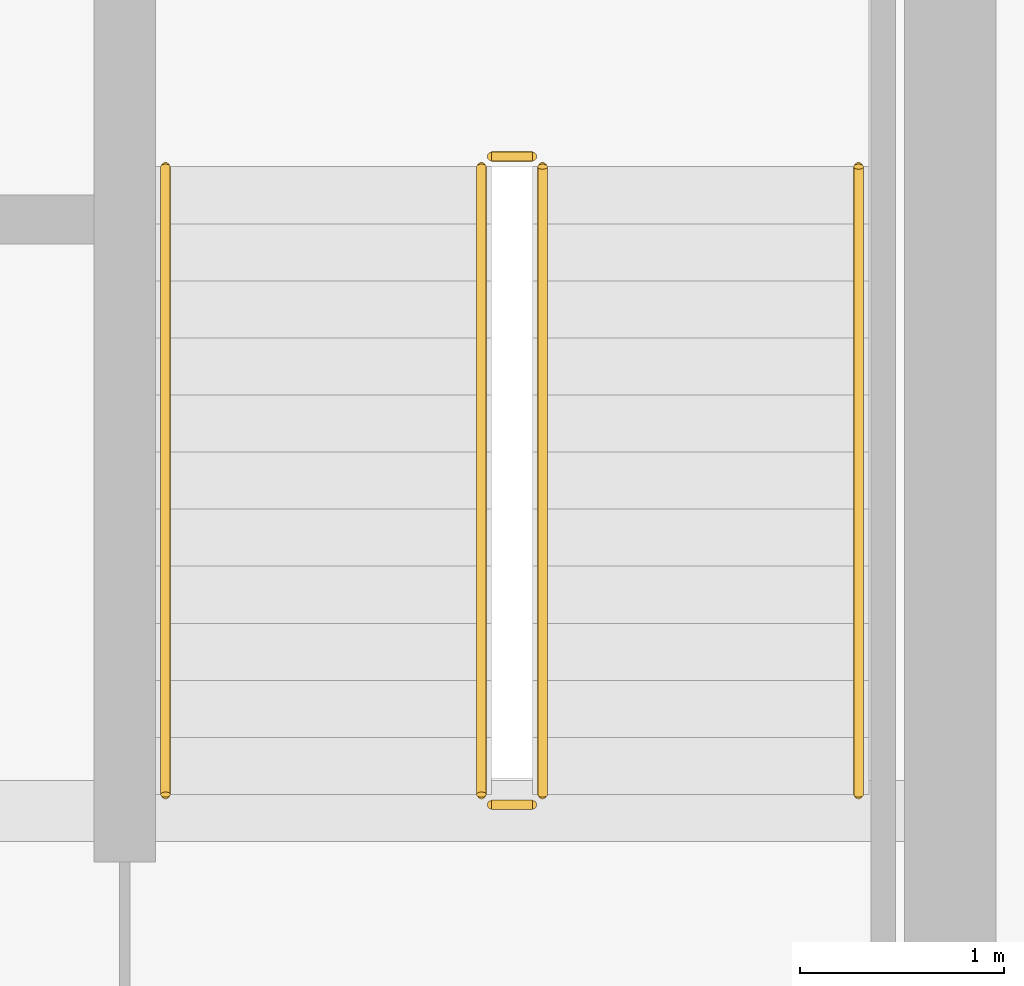
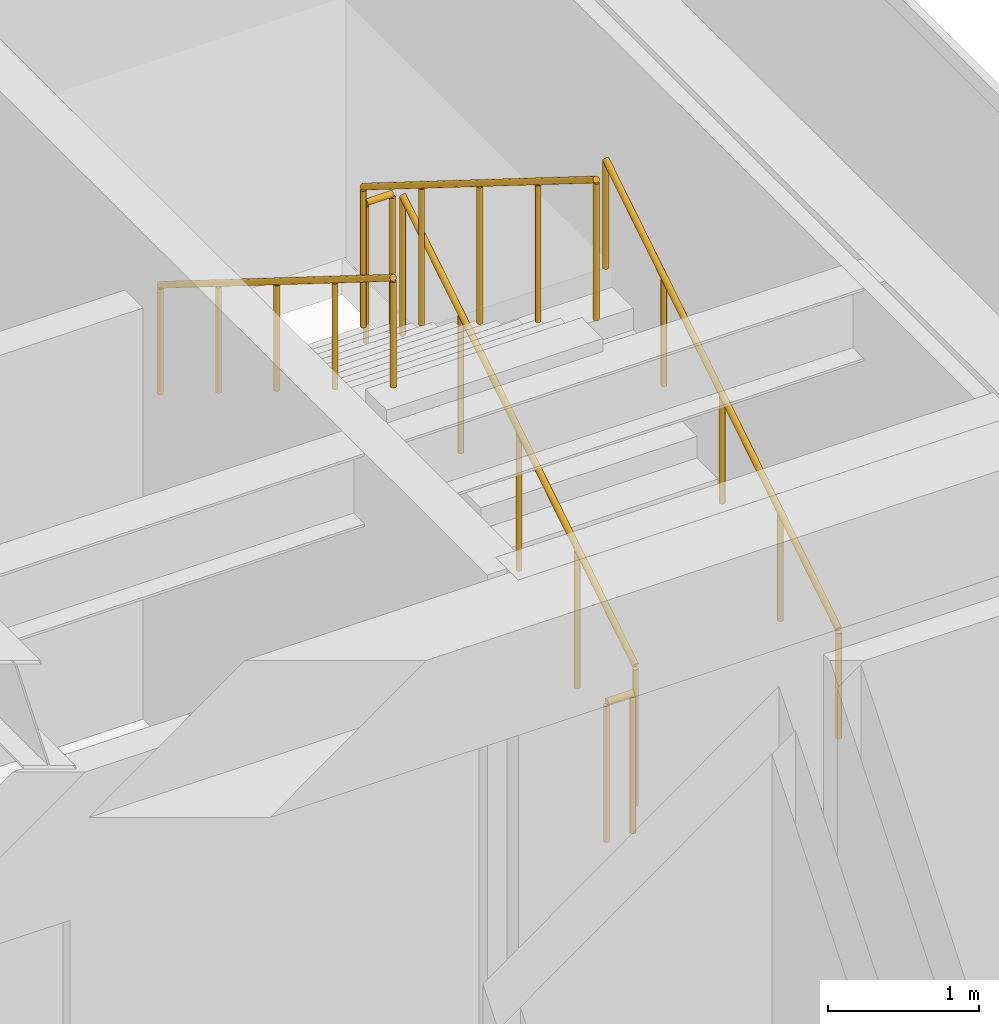
# One storey, part 33 of 34: 6 railings.
"""IFC4 building model written with IfcOpenShell, lengths in metres."""

from ifc_helpers import new_model, si_unit, direction, frame, origin, origin_2d, place, context, subcontext, project, spatial, circle, extrude, source, transform, mapped, material, type_object, type_shapes, element, save


model = new_model("IFC4")

# Units and contexts
model_context = context("Model", 3, precision=1e-05, world=origin(), true_north=direction((0.0, 1.0)))
body_context = subcontext(model_context, "Body", "Model", "MODEL_VIEW")
ifc_project = project(units=[si_unit("LENGTHUNIT", "METRE"), si_unit("AREAUNIT", "SQUARE_METRE"), si_unit("VOLUMEUNIT", "CUBIC_METRE"), si_unit("PLANEANGLEUNIT", "RADIAN"), si_unit("MASSUNIT", "GRAM", prefix="KILO")], contexts=[model_context])

# Site, building, storey
site_placement = place(None, origin())
site = spatial("IfcSite", under=ifc_project, at=site_placement, CompositionType="ELEMENT")
building_placement = place(site_placement, origin())
building = spatial("IfcBuilding", under=site, at=building_placement, Name="Haelvirn Gate Laboratories", CompositionType="ELEMENT")
storey_placement = place(building_placement, frame((0.0, 0.0, 322.800048828125)))
storey = spatial("IfcBuildingStorey", under=building, at=storey_placement, Name="L77", CompositionType="ELEMENT", Elevation=322.800048828125)

# Railings
ifc_material_1 = material(Name="Galvanised steel SM355 & stainless top rail", Category="steel")
railing_type_1 = type_object("IfcRailingType", Name="RL-GUARD-1150", PredefinedType="GUARDRAIL", material=ifc_material_1)
shared_shape_1 = source(origin(), body_context, "Body", "SweptSolid", [
    extrude(circle(Radius=0.02392578125, at=origin_2d()), frame((0.0, 0.0, 1.1259765625), z_axis=(0.0, -0.847998304005, 0.529998940003), x_axis=(1.0, 0.0, 0.0)), (0.0, 0.0, 1.0), 3.632080078125),
    extrude(circle(Radius=0.02099609375, at=origin_2d()), origin(), (0.0, 0.0, 1.0), 1.101806640625),
    extrude(circle(Radius=0.02099609375, at=origin_2d()), frame((0.0, -0.77001953125, 0.481201171875)), (0.0, 0.0, 1.0), 1.101806640625),
    extrude(circle(Radius=0.02099609375, at=origin_2d()), frame((0.0, -1.5400390625, 0.96240234375)), (0.0, 0.0, 1.0), 1.101806640625),
    extrude(circle(Radius=0.02099609375, at=origin_2d()), frame((0.0, -2.31005859375, 1.44384765625)), (0.0, 0.0, 1.0), 1.101806640625),
    extrude(circle(Radius=0.02099609375, at=origin_2d()), frame((0.0, -3.080078125, 1.925048828125)), (0.0, 0.0, 1.0), 1.101806640625),
])
railing_1_placement = place(storey_placement, frame((65.10009765625, 29.780029296875, 2.27490234375)))
element("IfcRailing", 1, at=railing_1_placement, inside=storey, type_object=railing_type_1, Name="L77 ST2 stair guard 3", PredefinedType="GUARDRAIL", context=body_context, shape_type="MappedRepresentation", body=[
    mapped(shared_shape_1, transform((0.0, 0.0, 0.0), scale=1.0)),
])
ifc_material_2 = material(Name="Brushed stainless steel 316L", Category="steel")
railing_type_2 = type_object("IfcRailingType", Name="RL-HAND-920", PredefinedType="HANDRAIL", material=ifc_material_2)
shared_shape_2 = source(origin(), body_context, "Body", "SweptSolid", [
    extrude(circle(Radius=0.02392578125, at=origin_2d()), frame((0.0, 0.0, 0.8759765625), z_axis=(0.0, -0.847998304005, 0.529998940003), x_axis=(1.0, 0.0, 0.0)), (0.0, 0.0, 1.0), 3.632080078125),
    extrude(circle(Radius=0.02099609375, at=origin_2d()), origin(), (0.0, 0.0, 1.0), 0.851806640625),
    extrude(circle(Radius=0.02099609375, at=origin_2d()), frame((0.0, -0.77001953125, 0.481201171875)), (0.0, 0.0, 1.0), 0.851806640625),
    extrude(circle(Radius=0.02099609375, at=origin_2d()), frame((0.0, -1.5400390625, 0.96240234375)), (0.0, 0.0, 1.0), 0.851806640625),
    extrude(circle(Radius=0.02099609375, at=origin_2d()), frame((0.0, -2.31005859375, 1.44384765625)), (0.0, 0.0, 1.0), 0.851806640625),
    extrude(circle(Radius=0.02099609375, at=origin_2d()), frame((0.0, -3.080078125, 1.925048828125)), (0.0, 0.0, 1.0), 0.851806640625),
])
railing_2_placement = place(storey_placement, frame((63.550048828125, 29.780029296875, 2.27490234375)))
element("IfcRailing", 2, at=railing_2_placement, inside=storey, type_object=railing_type_2, Name="L77 ST2 stair handrail 2", PredefinedType="HANDRAIL", context=body_context, shape_type="MappedRepresentation", body=[
    mapped(shared_shape_2, transform((0.0, 0.0, 0.0), scale=1.0)),
])
shared_shape_3 = source(origin(), body_context, "Body", "SweptSolid", [
    extrude(circle(Radius=0.02392578125, at=origin_2d()), frame((0.0, 0.0, 1.1259765625), z_axis=(0.0, 0.848028513186, 0.529950602248), x_axis=(-1.0, 0.0, 0.0)), (0.0, 0.0, 1.0), 3.632080078125),
    extrude(circle(Radius=0.02099609375, at=origin_2d()), origin(), (0.0, 0.0, 1.0), 1.101806640625),
    extrude(circle(Radius=0.02099609375, at=origin_2d()), frame((0.0, 0.77001953125, 0.481201171875)), (0.0, 0.0, 1.0), 1.101806640625),
    extrude(circle(Radius=0.02099609375, at=origin_2d()), frame((0.0, 1.5400390625, 0.96240234375)), (0.0, 0.0, 1.0), 1.101806640625),
    extrude(circle(Radius=0.02099609375, at=origin_2d()), frame((0.0, 2.31005859375, 1.443603515625)), (0.0, 0.0, 1.0), 1.101806640625),
    extrude(circle(Radius=0.02099609375, at=origin_2d()), frame((0.0, 3.080078125, 1.9248046875)), (0.0, 0.0, 1.0), 1.101806640625),
])
railing_3_placement = place(storey_placement, frame((65.39990234375, 26.699951171875, 0.175048828125)))
element("IfcRailing", 3, at=railing_3_placement, inside=storey, type_object=railing_type_1, Name="L77 ST2 stair guard 1", PredefinedType="GUARDRAIL", context=body_context, shape_type="MappedRepresentation", body=[
    mapped(shared_shape_3, transform((0.0, 0.0, 0.0), scale=1.0)),
])
shared_shape_4 = source(origin(), body_context, "Body", "SweptSolid", [
    extrude(circle(Radius=0.02392578125, at=origin_2d()), frame((0.0, 0.0, 0.8759765625), z_axis=(0.0, 0.848028513186, 0.529950602248), x_axis=(-1.0, 0.0, 0.0)), (0.0, 0.0, 1.0), 3.632080078125),
    extrude(circle(Radius=0.02099609375, at=origin_2d()), origin(), (0.0, 0.0, 1.0), 0.851806640625),
    extrude(circle(Radius=0.02099609375, at=origin_2d()), frame((0.0, 0.77001953125, 0.481201171875)), (0.0, 0.0, 1.0), 0.851806640625),
    extrude(circle(Radius=0.02099609375, at=origin_2d()), frame((0.0, 1.5400390625, 0.96240234375)), (0.0, 0.0, 1.0), 0.851806640625),
    extrude(circle(Radius=0.02099609375, at=origin_2d()), frame((0.0, 2.31005859375, 1.443603515625)), (0.0, 0.0, 1.0), 0.851806640625),
    extrude(circle(Radius=0.02099609375, at=origin_2d()), frame((0.0, 3.080078125, 1.9248046875)), (0.0, 0.0, 1.0), 0.851806640625),
])
type_shapes(railing_type_2, [shared_shape_2, shared_shape_4])
railing_4_placement = place(storey_placement, frame((66.949951171875, 26.699951171875, 0.175048828125)))
element("IfcRailing", 4, at=railing_4_placement, inside=storey, type_object=railing_type_2, Name="L77 ST2 stair handrail 1", PredefinedType="HANDRAIL", context=body_context, shape_type="MappedRepresentation", body=[
    mapped(shared_shape_4, transform((0.0, 0.0, 0.0), scale=1.0)),
])
shared_shape_5 = source(origin(), body_context, "Body", "SweptSolid", [
    extrude(circle(Radius=0.02392578125, at=origin_2d()), frame((0.0, 0.0, 1.1259765625), z_axis=(-1.0, 0.0, 0.0), x_axis=(0.0, -1.0, 0.0)), (0.0, 0.0, 1.0), 0.2001953125),
    extrude(circle(Radius=0.02099609375, at=origin_2d()), origin(), (0.0, 0.0, 1.0), 1.101806640625),
    extrude(circle(Radius=0.02099609375, at=origin_2d()), frame((-0.2001953125, 0.0, 0.0)), (0.0, 0.0, 1.0), 1.101806640625),
])
type_shapes(railing_type_1, [shared_shape_1, shared_shape_3, shared_shape_5])
for number, where, name in (
    (5, (65.35009765625, 29.830078125, 2.099853515625), "L77 ST2 stair guard 2"),
    (6, (65.35009765625, 26.64990234375, 0.0), "L77 ST2 stair guard 4"),
):
    element("IfcRailing", number, at=place(storey_placement, frame(where)), inside=storey, type_object=railing_type_1, Name=name, PredefinedType="GUARDRAIL", context=body_context, shape_type="MappedRepresentation", body=[
        mapped(shared_shape_5, transform((0.0, 0.0, 0.0), scale=1.0)),
    ])

save(model, "model.ifc")
